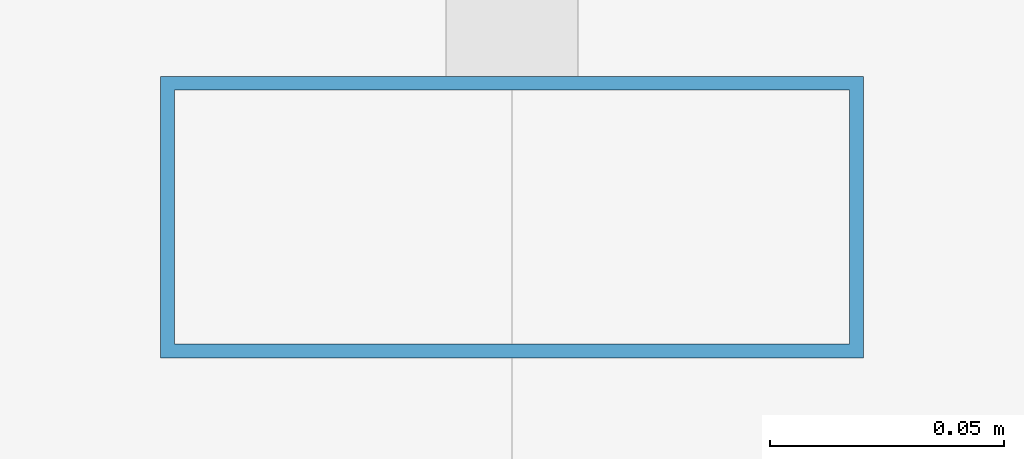
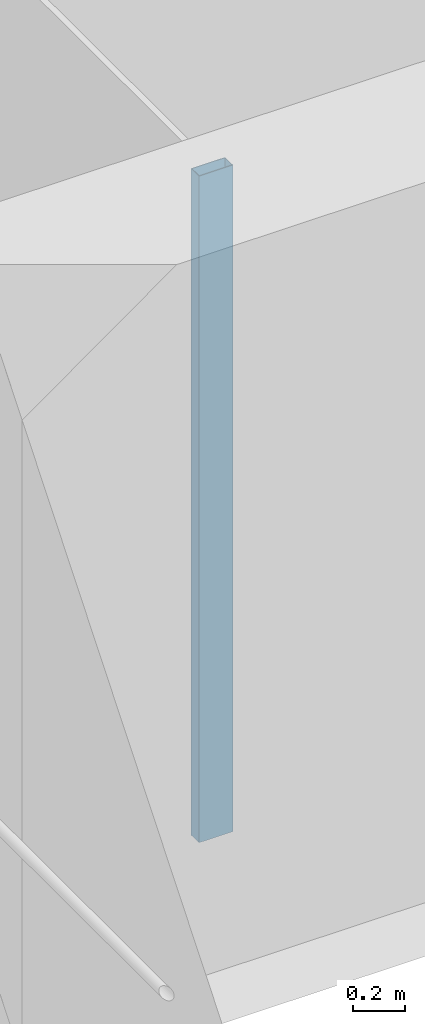
# One storey, part 11 of 46: 1 member, 1 element without a shape of its own.
"""IFC4 building model written with IfcOpenShell, lengths in metres."""

from ifc_helpers import new_model, si_unit, direction, frame, origin, origin_2d, place, context, subcontext, project, spatial, hollow_rectangle, extrude, material, material_profile, profile_set, type_object, element, aggregate, save


model = new_model("IFC4")

# Units and contexts
model_context = context("Model", 3, precision=1e-05, world=origin(), true_north=direction((0.0, 1.0)))
body_context = subcontext(model_context, "Body", "Model", "MODEL_VIEW")
ifc_project = project(units=[si_unit("LENGTHUNIT", "METRE"), si_unit("AREAUNIT", "SQUARE_METRE"), si_unit("VOLUMEUNIT", "CUBIC_METRE"), si_unit("PLANEANGLEUNIT", "RADIAN"), si_unit("MASSUNIT", "GRAM", prefix="KILO")], contexts=[model_context])

# Site, building, storey
site_placement = place(None, origin())
site = spatial("IfcSite", under=ifc_project, at=site_placement, CompositionType="ELEMENT")
building_placement = place(site_placement, origin())
building = spatial("IfcBuilding", under=site, at=building_placement, Name="Altepetl Exchange Towers", CompositionType="ELEMENT")
storey_placement = place(building_placement, frame((0.0, 0.0, 128.0)))
storey = spatial("IfcBuildingStorey", under=building, at=storey_placement, Name="L31", CompositionType="ELEMENT", Elevation=128.0)

# Curtain wall, member
ifc_material_1 = material(Name="Aluminium 6063-T6 glazing", Category="aluminium")
curtain_wall_type = type_object("IfcCurtainWallType", Name="Loggia glazing system", PredefinedType="NOTDEFINED", material=ifc_material_1)
curtain_wall_placement = place(storey_placement, origin())
curtain_wall = element("IfcCurtainWall", 1, at=curtain_wall_placement, inside=storey, type_object=curtain_wall_type, Name="CW1 run", PredefinedType="NOTDEFINED")
ifc_material_2 = material(Name="Aluminium 6063-T6", Category="aluminium")
ifc_material_profile = material_profile(ifc_material_2, hollow_rectangle(XDim=0.06005859375, YDim=0.14990234375, WallThickness=0.0029296875, at=origin_2d()), Name="Mullion 60x150 aluminium")
ifc_profile_set = profile_set([ifc_material_profile], Name="Aluminium 6063-T6")
member_type = type_object("IfcMemberType", Name="Mullion 60x150 aluminium", PredefinedType="MULLION", material=ifc_profile_set)
member_placement = place(storey_placement, frame((42.5, 58.60498046875, 0.0), z_axis=(0.0, 0.0, 1.0), x_axis=(0.0, -1.0, 0.0)))
member = element("IfcMember", 2, at=member_placement, type_object=member_type, Name="MU1 mullion", PredefinedType="MULLION", context=body_context, shape_type="SweptSolid", body=[
    extrude(hollow_rectangle(XDim=0.06005859375, YDim=0.14990234375, WallThickness=0.0029296875, at=origin_2d()), origin(), (0.0, 0.0, 1.0), 3.10009765625),
])
aggregate(curtain_wall, [member])

save(model, "model.ifc")
